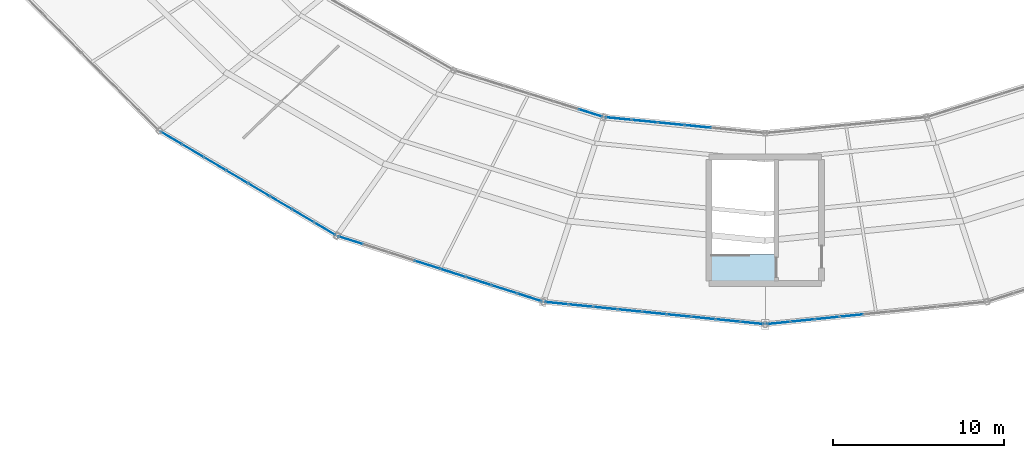
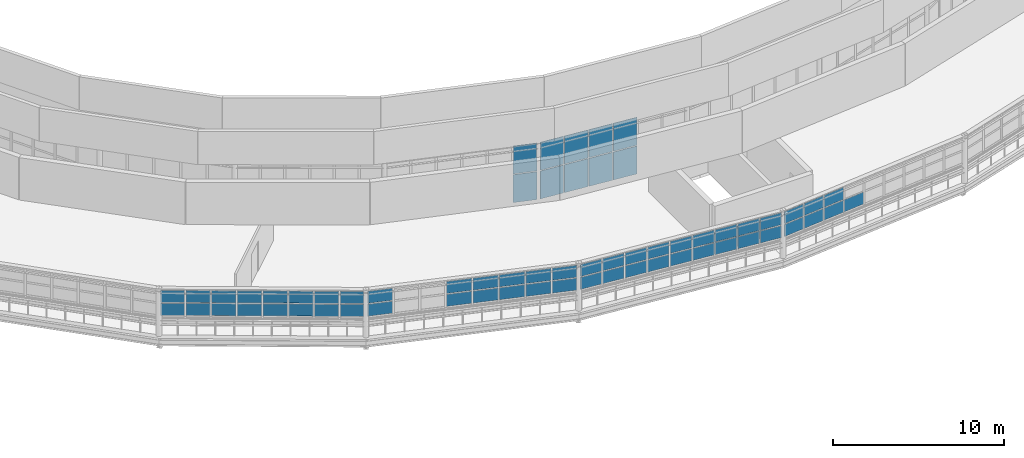
# One storey, part 77 of 123: 63 plates, 1 slab, 6 elements without a shape of their own.
"""IFC4 building model written with IfcOpenShell, lengths in metres."""

from ifc_helpers import new_model, si_unit, direction, frame, origin, origin_2d, place, context, subcontext, project, spatial, polyline, rectangle, outline, extrude, material, layer, layer_set, type_object, element, aggregate, save


model = new_model("IFC4")

# Units and contexts
model_context = context("Model", 3, precision=1e-05, world=origin(), true_north=direction((0.0, 1.0)))
body_context = subcontext(model_context, "Body", "Model", "MODEL_VIEW")
ifc_project = project(units=[si_unit("LENGTHUNIT", "METRE"), si_unit("AREAUNIT", "SQUARE_METRE"), si_unit("VOLUMEUNIT", "CUBIC_METRE"), si_unit("PLANEANGLEUNIT", "RADIAN"), si_unit("MASSUNIT", "GRAM", prefix="KILO")], contexts=[model_context])

# Site, building, storey
site_placement = place(None, origin())
site = spatial("IfcSite", under=ifc_project, at=site_placement, CompositionType="ELEMENT")
building_placement = place(site_placement, origin())
building = spatial("IfcBuilding", under=site, at=building_placement, Name="Kildeholm Park Wholesale Market", CompositionType="ELEMENT")
storey_placement = place(building_placement, frame((0.0, 0.0, 9.60009765625)))
storey = spatial("IfcBuildingStorey", under=building, at=storey_placement, Name="L02", CompositionType="ELEMENT", Elevation=9.60009765625)

# Curtain wall, plates
ifc_material_1 = material(Name="Anodised aluminium and low-E double-glazed glass", Category="aluminium")
curtain_wall_type = type_object("IfcCurtainWallType", Name="Clerestory daylight stick curtain wall CW-02", PredefinedType="NOTDEFINED", material=ifc_material_1)
curtain_wall_1_placement = place(storey_placement, origin())
curtain_wall_1 = element("IfcCurtainWall", 1, at=curtain_wall_1_placement, inside=storey, type_object=curtain_wall_type, Name="Curtain wall CW-V1-IN2-16 CW-0083", PredefinedType="NOTDEFINED")
ifc_material_2 = material(Name="Triple-glazed solar-control glass", Category="glass")
ifc_layer_1 = layer(ifc_material_2, 0.035888671875)
ifc_layer_set_1 = layer_set([ifc_layer_1], Name="Triple-glazed solar-control glass")
plate_type_1 = type_object("IfcPlateType", Name="Curtain-wall panel CWP-2 36 mm", PredefinedType="CURTAIN_PANEL", material=ifc_layer_set_1)
plate_1_placement = place(storey_placement, frame((88.771484375, 63.176513671875, 0.06005859375), z_axis=(0.0, 0.0, 1.0), x_axis=(0.954579186683, -0.297957339818, 0.0)))
plate_1 = element("IfcPlate", 2, at=plate_1_placement, type_object=plate_type_1, Name="CW-02 panel 6.1 PLT-1266", PredefinedType="CURTAIN_PANEL", context=body_context, shape_type="SweptSolid", body=[
    extrude(rectangle(XDim=1.43359375, YDim=0.035888671875, at=origin_2d()), origin(), (0.0, 0.0, 1.0), 1.985107421875),
])
plate_2_placement = place(storey_placement, frame((88.771484375, 63.176513671875, 2.10498046875), z_axis=(0.0, 0.0, 1.0), x_axis=(0.954579186683, -0.297957339818, 0.0)))
plate_2 = element("IfcPlate", 3, at=plate_2_placement, type_object=plate_type_1, Name="CW-02 panel 6.2 PLT-1267", PredefinedType="CURTAIN_PANEL", context=body_context, shape_type="SweptSolid", body=[
    extrude(rectangle(XDim=1.43359375, YDim=0.035888671875, at=origin_2d()), origin(), (0.0, 0.0, 1.0), 1.985107421875),
])
aggregate(curtain_wall_1, [plate_1, plate_2])

curtain_wall_2_placement = place(storey_placement, origin())
curtain_wall_2 = element("IfcCurtainWall", 4, at=curtain_wall_2_placement, inside=storey, type_object=curtain_wall_type, Name="Curtain wall CW-V1-IN2-17 CW-0088", PredefinedType="NOTDEFINED")
plate_3_placement = place(storey_placement, frame((90.3876953125, 62.85009765625, 0.06005859375), z_axis=(0.0, 0.0, 1.0), x_axis=(0.995118887444, -0.098683331174, 0.0)))
plate_3 = element("IfcPlate", 5, at=plate_3_placement, type_object=plate_type_1, Name="CW-02 panel 1.1 PLT-1330", PredefinedType="CURTAIN_PANEL", context=body_context, shape_type="SweptSolid", body=[
    extrude(rectangle(XDim=1.47900390625, YDim=0.035888671875, at=origin_2d()), origin(), (0.0, 0.0, 1.0), 1.985107421875),
])
plate_4_placement = place(storey_placement, frame((90.3876953125, 62.85009765625, 2.10498046875), z_axis=(0.0, 0.0, 1.0), x_axis=(0.995118887444, -0.098683331174, 0.0)))
plate_4 = element("IfcPlate", 6, at=plate_4_placement, type_object=plate_type_1, Name="CW-02 panel 1.2 PLT-1331", PredefinedType="CURTAIN_PANEL", context=body_context, shape_type="SweptSolid", body=[
    extrude(rectangle(XDim=1.47900390625, YDim=0.035888671875, at=origin_2d()), origin(), (0.0, 0.0, 1.0), 1.985107421875),
])
plate_5_placement = place(storey_placement, frame((91.93408203125, 62.69677734375, 0.06005859375), z_axis=(0.0, 0.0, 1.0), x_axis=(0.995118887444, -0.098683331174, 0.0)))
plate_5 = element("IfcPlate", 7, at=plate_5_placement, type_object=plate_type_1, Name="CW-02 panel 2.1 PLT-1332", PredefinedType="CURTAIN_PANEL", context=body_context, shape_type="SweptSolid", body=[
    extrude(rectangle(XDim=1.509033203125, YDim=0.035888671875, at=origin_2d()), origin(), (0.0, 0.0, 1.0), 1.985107421875),
])
plate_6_placement = place(storey_placement, frame((91.93408203125, 62.69677734375, 2.10498046875), z_axis=(0.0, 0.0, 1.0), x_axis=(0.995118887444, -0.098683331174, 0.0)))
plate_6 = element("IfcPlate", 8, at=plate_6_placement, type_object=plate_type_1, Name="CW-02 panel 2.2 PLT-1333", PredefinedType="CURTAIN_PANEL", context=body_context, shape_type="SweptSolid", body=[
    extrude(rectangle(XDim=1.509033203125, YDim=0.035888671875, at=origin_2d()), origin(), (0.0, 0.0, 1.0), 1.985107421875),
])
plate_7_placement = place(storey_placement, frame((93.495361328125, 62.5419921875, 0.06005859375), z_axis=(0.0, 0.0, 1.0), x_axis=(0.995118887444, -0.098683331174, 0.0)))
plate_7 = element("IfcPlate", 9, at=plate_7_placement, type_object=plate_type_1, Name="CW-02 panel 3.1 PLT-1334", PredefinedType="CURTAIN_PANEL", context=body_context, shape_type="SweptSolid", body=[
    extrude(rectangle(XDim=1.509033203125, YDim=0.035888671875, at=origin_2d()), origin(), (0.0, 0.0, 1.0), 1.985107421875),
])
plate_8_placement = place(storey_placement, frame((93.495361328125, 62.5419921875, 2.10498046875), z_axis=(0.0, 0.0, 1.0), x_axis=(0.995118887444, -0.098683331174, 0.0)))
plate_8 = element("IfcPlate", 10, at=plate_8_placement, type_object=plate_type_1, Name="CW-02 panel 3.2 PLT-1335", PredefinedType="CURTAIN_PANEL", context=body_context, shape_type="SweptSolid", body=[
    extrude(rectangle(XDim=1.509033203125, YDim=0.035888671875, at=origin_2d()), origin(), (0.0, 0.0, 1.0), 1.985107421875),
])
plate_9_placement = place(storey_placement, frame((95.056640625, 62.386962890625, 0.06005859375), z_axis=(0.0, 0.0, 1.0), x_axis=(0.995118887444, -0.098683331174, 0.0)))
plate_9 = element("IfcPlate", 11, at=plate_9_placement, type_object=plate_type_1, Name="CW-02 panel 4.1 PLT-1336", PredefinedType="CURTAIN_PANEL", context=body_context, shape_type="SweptSolid", body=[
    extrude(rectangle(XDim=1.509033203125, YDim=0.035888671875, at=origin_2d()), origin(), (0.0, 0.0, 1.0), 1.985107421875),
])
plate_10_placement = place(storey_placement, frame((95.056640625, 62.386962890625, 2.10498046875), z_axis=(0.0, 0.0, 1.0), x_axis=(0.995118887444, -0.098683331174, 0.0)))
plate_10 = element("IfcPlate", 12, at=plate_10_placement, type_object=plate_type_1, Name="CW-02 panel 4.2 PLT-1337", PredefinedType="CURTAIN_PANEL", context=body_context, shape_type="SweptSolid", body=[
    extrude(rectangle(XDim=1.509033203125, YDim=0.035888671875, at=origin_2d()), origin(), (0.0, 0.0, 1.0), 1.985107421875),
])
aggregate(curtain_wall_2, [plate_3, plate_4, plate_5, plate_6, plate_7, plate_8, plate_9, plate_10])

curtain_wall_3_placement = place(storey_placement, origin())
curtain_wall_3 = element("IfcCurtainWall", 13, at=curtain_wall_3_placement, inside=storey, type_object=curtain_wall_type, Name="Curtain wall CW-V1-CL-15 CW-0075", PredefinedType="NOTDEFINED")
ifc_material_3 = material(Name="Fritted solar-control clerestory glass", Category="glass")
ifc_layer_2 = layer(ifc_material_3, 0.031982421875)
ifc_layer_set_2 = layer_set([ifc_layer_2], Name="Fritted solar-control clerestory glass")
plate_type_2 = type_object("IfcPlateType", Name="Curtain-wall panel CWP-4 32 mm", PredefinedType="CURTAIN_PANEL", material=ifc_layer_set_2)
plate_11_placement = place(storey_placement, frame((64.1923828125, 61.721435546875, 1.40966796875), z_axis=(0.0, 0.0, 1.0), x_axis=(0.860704129033, -0.509105492275, 0.0)))
plate_11 = element("IfcPlate", 14, at=plate_11_placement, type_object=plate_type_2, Name="CW-02 panel 1.1 PLT-1144", PredefinedType="CURTAIN_PANEL", context=body_context, shape_type="SweptSolid", body=[
    extrude(rectangle(XDim=1.409912109375, YDim=0.031982421875, at=origin_2d()), origin(), (0.0, 0.0, 1.0), 0.860107421875),
])
plate_12_placement = place(storey_placement, frame((64.1923828125, 61.721435546875, 2.330078125), z_axis=(0.0, 0.0, 1.0), x_axis=(0.860704129033, -0.509105492275, 0.0)))
plate_12 = element("IfcPlate", 15, at=plate_12_placement, type_object=plate_type_2, Name="CW-02 panel 1.2 PLT-1145", PredefinedType="CURTAIN_PANEL", context=body_context, shape_type="SweptSolid", body=[
    extrude(rectangle(XDim=1.409912109375, YDim=0.031982421875, at=origin_2d()), origin(), (0.0, 0.0, 1.0), 0.860107421875),
])
plate_13_placement = place(storey_placement, frame((65.470458984375, 60.965576171875, 1.40966796875), z_axis=(0.0, 0.0, 1.0), x_axis=(0.860704129033, -0.509105492275, 0.0)))
plate_13 = element("IfcPlate", 16, at=plate_13_placement, type_object=plate_type_2, Name="CW-02 panel 2.1 PLT-1146", PredefinedType="CURTAIN_PANEL", context=body_context, shape_type="SweptSolid", body=[
    extrude(rectangle(XDim=1.43994140625, YDim=0.031982421875, at=origin_2d()), origin(), (0.0, 0.0, 1.0), 0.860107421875),
])
plate_14_placement = place(storey_placement, frame((65.470458984375, 60.965576171875, 2.330078125), z_axis=(0.0, 0.0, 1.0), x_axis=(0.860704129033, -0.509105492275, 0.0)))
plate_14 = element("IfcPlate", 17, at=plate_14_placement, type_object=plate_type_2, Name="CW-02 panel 2.2 PLT-1147", PredefinedType="CURTAIN_PANEL", context=body_context, shape_type="SweptSolid", body=[
    extrude(rectangle(XDim=1.43994140625, YDim=0.031982421875, at=origin_2d()), origin(), (0.0, 0.0, 1.0), 0.860107421875),
])
plate_15_placement = place(storey_placement, frame((66.761474609375, 60.201904296875, 1.40966796875), z_axis=(0.0, 0.0, 1.0), x_axis=(0.860704129033, -0.509105492275, 0.0)))
plate_15 = element("IfcPlate", 18, at=plate_15_placement, type_object=plate_type_2, Name="CW-02 panel 3.1 PLT-1148", PredefinedType="CURTAIN_PANEL", context=body_context, shape_type="SweptSolid", body=[
    extrude(rectangle(XDim=1.43994140625, YDim=0.031982421875, at=origin_2d()), origin(), (0.0, 0.0, 1.0), 0.860107421875),
])
plate_16_placement = place(storey_placement, frame((66.761474609375, 60.201904296875, 2.330078125), z_axis=(0.0, 0.0, 1.0), x_axis=(0.860704129033, -0.509105492275, 0.0)))
plate_16 = element("IfcPlate", 19, at=plate_16_placement, type_object=plate_type_2, Name="CW-02 panel 3.2 PLT-1149", PredefinedType="CURTAIN_PANEL", context=body_context, shape_type="SweptSolid", body=[
    extrude(rectangle(XDim=1.43994140625, YDim=0.031982421875, at=origin_2d()), origin(), (0.0, 0.0, 1.0), 0.860107421875),
])
plate_17_placement = place(storey_placement, frame((68.052490234375, 59.438232421875, 1.40966796875), z_axis=(0.0, 0.0, 1.0), x_axis=(0.860704129033, -0.509105492275, 0.0)))
plate_17 = element("IfcPlate", 20, at=plate_17_placement, type_object=plate_type_2, Name="CW-02 panel 4.1 PLT-1150", PredefinedType="CURTAIN_PANEL", context=body_context, shape_type="SweptSolid", body=[
    extrude(rectangle(XDim=1.43994140625, YDim=0.031982421875, at=origin_2d()), origin(), (0.0, 0.0, 1.0), 0.860107421875),
])
plate_18_placement = place(storey_placement, frame((68.052490234375, 59.438232421875, 2.330078125), z_axis=(0.0, 0.0, 1.0), x_axis=(0.860704129033, -0.509105492275, 0.0)))
plate_18 = element("IfcPlate", 21, at=plate_18_placement, type_object=plate_type_2, Name="CW-02 panel 4.2 PLT-1151", PredefinedType="CURTAIN_PANEL", context=body_context, shape_type="SweptSolid", body=[
    extrude(rectangle(XDim=1.43994140625, YDim=0.031982421875, at=origin_2d()), origin(), (0.0, 0.0, 1.0), 0.860107421875),
])
plate_19_placement = place(storey_placement, frame((69.343505859375, 58.6748046875, 1.40966796875), z_axis=(0.0, 0.0, 1.0), x_axis=(0.860704129033, -0.509105492275, 0.0)))
plate_19 = element("IfcPlate", 22, at=plate_19_placement, type_object=plate_type_2, Name="CW-02 panel 5.1 PLT-1152", PredefinedType="CURTAIN_PANEL", context=body_context, shape_type="SweptSolid", body=[
    extrude(rectangle(XDim=1.43994140625, YDim=0.031982421875, at=origin_2d()), origin(), (0.0, 0.0, 1.0), 0.860107421875),
])
plate_20_placement = place(storey_placement, frame((69.343505859375, 58.6748046875, 2.330078125), z_axis=(0.0, 0.0, 1.0), x_axis=(0.860704129033, -0.509105492275, 0.0)))
plate_20 = element("IfcPlate", 23, at=plate_20_placement, type_object=plate_type_2, Name="CW-02 panel 5.2 PLT-1153", PredefinedType="CURTAIN_PANEL", context=body_context, shape_type="SweptSolid", body=[
    extrude(rectangle(XDim=1.43994140625, YDim=0.031982421875, at=origin_2d()), origin(), (0.0, 0.0, 1.0), 0.860107421875),
])
plate_21_placement = place(storey_placement, frame((70.634521484375, 57.9111328125, 1.40966796875), z_axis=(0.0, 0.0, 1.0), x_axis=(0.860704129033, -0.509105492275, 0.0)))
plate_21 = element("IfcPlate", 24, at=plate_21_placement, type_object=plate_type_2, Name="CW-02 panel 6.1 PLT-1154", PredefinedType="CURTAIN_PANEL", context=body_context, shape_type="SweptSolid", body=[
    extrude(rectangle(XDim=1.43994140625, YDim=0.031982421875, at=origin_2d()), origin(), (0.0, 0.0, 1.0), 0.860107421875),
])
plate_22_placement = place(storey_placement, frame((70.634521484375, 57.9111328125, 2.330078125), z_axis=(0.0, 0.0, 1.0), x_axis=(0.860704129033, -0.509105492275, 0.0)))
plate_22 = element("IfcPlate", 25, at=plate_22_placement, type_object=plate_type_2, Name="CW-02 panel 6.2 PLT-1155", PredefinedType="CURTAIN_PANEL", context=body_context, shape_type="SweptSolid", body=[
    extrude(rectangle(XDim=1.43994140625, YDim=0.031982421875, at=origin_2d()), origin(), (0.0, 0.0, 1.0), 0.860107421875),
])
plate_23_placement = place(storey_placement, frame((71.925537109375, 57.1474609375, 1.40966796875), z_axis=(0.0, 0.0, 1.0), x_axis=(0.860704129033, -0.509105492275, 0.0)))
plate_23 = element("IfcPlate", 26, at=plate_23_placement, type_object=plate_type_2, Name="CW-02 panel 7.1 PLT-1156", PredefinedType="CURTAIN_PANEL", context=body_context, shape_type="SweptSolid", body=[
    extrude(rectangle(XDim=1.43994140625, YDim=0.031982421875, at=origin_2d()), origin(), (0.0, 0.0, 1.0), 0.860107421875),
])
plate_24_placement = place(storey_placement, frame((71.925537109375, 57.1474609375, 2.330078125), z_axis=(0.0, 0.0, 1.0), x_axis=(0.860704129033, -0.509105492275, 0.0)))
plate_24 = element("IfcPlate", 27, at=plate_24_placement, type_object=plate_type_2, Name="CW-02 panel 7.2 PLT-1157", PredefinedType="CURTAIN_PANEL", context=body_context, shape_type="SweptSolid", body=[
    extrude(rectangle(XDim=1.43994140625, YDim=0.031982421875, at=origin_2d()), origin(), (0.0, 0.0, 1.0), 0.860107421875),
])
plate_25_placement = place(storey_placement, frame((73.20361328125, 56.391357421875, 1.40966796875), z_axis=(0.0, 0.0, 1.0), x_axis=(0.860704129033, -0.509105492275, 0.0)))
plate_25 = element("IfcPlate", 28, at=plate_25_placement, type_object=plate_type_2, Name="CW-02 panel 8.1 PLT-1158", PredefinedType="CURTAIN_PANEL", context=body_context, shape_type="SweptSolid", body=[
    extrude(rectangle(XDim=1.409912109375, YDim=0.031982421875, at=origin_2d()), origin(), (0.0, 0.0, 1.0), 0.860107421875),
])
plate_26_placement = place(storey_placement, frame((73.20361328125, 56.391357421875, 2.330078125), z_axis=(0.0, 0.0, 1.0), x_axis=(0.860704129033, -0.509105492275, 0.0)))
plate_26 = element("IfcPlate", 29, at=plate_26_placement, type_object=plate_type_2, Name="CW-02 panel 8.2 PLT-1159", PredefinedType="CURTAIN_PANEL", context=body_context, shape_type="SweptSolid", body=[
    extrude(rectangle(XDim=1.409912109375, YDim=0.031982421875, at=origin_2d()), origin(), (0.0, 0.0, 1.0), 0.860107421875),
])
aggregate(curtain_wall_3, [plate_11, plate_12, plate_13, plate_14, plate_15, plate_16, plate_17, plate_18, plate_19, plate_20, plate_21, plate_22, plate_23, plate_24, plate_25, plate_26])

curtain_wall_4_placement = place(storey_placement, origin())
curtain_wall_4 = element("IfcCurtainWall", 30, at=curtain_wall_4_placement, inside=storey, type_object=curtain_wall_type, Name="Curtain wall CW-V1-CL-16 CW-0080", PredefinedType="NOTDEFINED")
plate_27_placement = place(storey_placement, frame((74.7021484375, 55.724365234375, 1.40966796875), z_axis=(0.0, 0.0, 1.0), x_axis=(0.952606009241, -0.304206822997, 0.0)))
plate_27 = element("IfcPlate", 31, at=plate_27_placement, type_object=plate_type_2, Name="CW-02 panel 1.1 PLT-1216", PredefinedType="CURTAIN_PANEL", context=body_context, shape_type="SweptSolid", body=[
    extrude(rectangle(XDim=1.48876953125, YDim=0.031982421875, at=origin_2d()), origin(), (0.0, 0.0, 1.0), 0.860107421875),
])
plate_28_placement = place(storey_placement, frame((74.7021484375, 55.724365234375, 2.330078125), z_axis=(0.0, 0.0, 1.0), x_axis=(0.952606009241, -0.304206822997, 0.0)))
plate_28 = element("IfcPlate", 32, at=plate_28_placement, type_object=plate_type_2, Name="CW-02 panel 1.2 PLT-1217", PredefinedType="CURTAIN_PANEL", context=body_context, shape_type="SweptSolid", body=[
    extrude(rectangle(XDim=1.48876953125, YDim=0.031982421875, at=origin_2d()), origin(), (0.0, 0.0, 1.0), 0.860107421875),
])
plate_29_placement = place(storey_placement, frame((79.199462890625, 54.2880859375, 1.40966796875), z_axis=(0.0, 0.0, 1.0), x_axis=(0.952606009241, -0.304206822997, 0.0)))
plate_29 = element("IfcPlate", 33, at=plate_29_placement, type_object=plate_type_2, Name="CW-02 panel 4.1 PLT-1222", PredefinedType="CURTAIN_PANEL", context=body_context, shape_type="SweptSolid", body=[
    extrude(rectangle(XDim=1.518798828125, YDim=0.031982421875, at=origin_2d()), origin(), (0.0, 0.0, 1.0), 0.860107421875),
])
plate_30_placement = place(storey_placement, frame((79.199462890625, 54.2880859375, 2.330078125), z_axis=(0.0, 0.0, 1.0), x_axis=(0.952606009241, -0.304206822997, 0.0)))
plate_30 = element("IfcPlate", 34, at=plate_30_placement, type_object=plate_type_2, Name="CW-02 panel 4.2 PLT-1223", PredefinedType="CURTAIN_PANEL", context=body_context, shape_type="SweptSolid", body=[
    extrude(rectangle(XDim=1.518798828125, YDim=0.031982421875, at=origin_2d()), origin(), (0.0, 0.0, 1.0), 0.860107421875),
])
plate_31_placement = place(storey_placement, frame((80.703369140625, 53.807861328125, 1.40966796875), z_axis=(0.0, 0.0, 1.0), x_axis=(0.952606009241, -0.304206822997, 0.0)))
plate_31 = element("IfcPlate", 35, at=plate_31_placement, type_object=plate_type_2, Name="CW-02 panel 5.1 PLT-1224", PredefinedType="CURTAIN_PANEL", context=body_context, shape_type="SweptSolid", body=[
    extrude(rectangle(XDim=1.518798828125, YDim=0.031982421875, at=origin_2d()), origin(), (0.0, 0.0, 1.0), 0.860107421875),
])
plate_32_placement = place(storey_placement, frame((80.703369140625, 53.807861328125, 2.330078125), z_axis=(0.0, 0.0, 1.0), x_axis=(0.952606009241, -0.304206822997, 0.0)))
plate_32 = element("IfcPlate", 36, at=plate_32_placement, type_object=plate_type_2, Name="CW-02 panel 5.2 PLT-1225", PredefinedType="CURTAIN_PANEL", context=body_context, shape_type="SweptSolid", body=[
    extrude(rectangle(XDim=1.518798828125, YDim=0.031982421875, at=origin_2d()), origin(), (0.0, 0.0, 1.0), 0.860107421875),
])
plate_33_placement = place(storey_placement, frame((82.207275390625, 53.32763671875, 1.40966796875), z_axis=(0.0, 0.0, 1.0), x_axis=(0.952606009241, -0.304206822997, 0.0)))
plate_33 = element("IfcPlate", 37, at=plate_33_placement, type_object=plate_type_2, Name="CW-02 panel 6.1 PLT-1226", PredefinedType="CURTAIN_PANEL", context=body_context, shape_type="SweptSolid", body=[
    extrude(rectangle(XDim=1.518798828125, YDim=0.031982421875, at=origin_2d()), origin(), (0.0, 0.0, 1.0), 0.860107421875),
])
plate_34_placement = place(storey_placement, frame((82.207275390625, 53.32763671875, 2.330078125), z_axis=(0.0, 0.0, 1.0), x_axis=(0.952606009241, -0.304206822997, 0.0)))
plate_34 = element("IfcPlate", 38, at=plate_34_placement, type_object=plate_type_2, Name="CW-02 panel 6.2 PLT-1227", PredefinedType="CURTAIN_PANEL", context=body_context, shape_type="SweptSolid", body=[
    extrude(rectangle(XDim=1.518798828125, YDim=0.031982421875, at=origin_2d()), origin(), (0.0, 0.0, 1.0), 0.860107421875),
])
plate_35_placement = place(storey_placement, frame((83.711181640625, 52.847412109375, 1.40966796875), z_axis=(0.0, 0.0, 1.0), x_axis=(0.952606009241, -0.304206822997, 0.0)))
plate_35 = element("IfcPlate", 39, at=plate_35_placement, type_object=plate_type_2, Name="CW-02 panel 7.1 PLT-1228", PredefinedType="CURTAIN_PANEL", context=body_context, shape_type="SweptSolid", body=[
    extrude(rectangle(XDim=1.518798828125, YDim=0.031982421875, at=origin_2d()), origin(), (0.0, 0.0, 1.0), 0.860107421875),
])
plate_36_placement = place(storey_placement, frame((83.711181640625, 52.847412109375, 2.330078125), z_axis=(0.0, 0.0, 1.0), x_axis=(0.952606009241, -0.304206822997, 0.0)))
plate_36 = element("IfcPlate", 40, at=plate_36_placement, type_object=plate_type_2, Name="CW-02 panel 7.2 PLT-1229", PredefinedType="CURTAIN_PANEL", context=body_context, shape_type="SweptSolid", body=[
    extrude(rectangle(XDim=1.518798828125, YDim=0.031982421875, at=origin_2d()), origin(), (0.0, 0.0, 1.0), 0.860107421875),
])
plate_37_placement = place(storey_placement, frame((85.20068359375, 52.37158203125, 1.40966796875), z_axis=(0.0, 0.0, 1.0), x_axis=(0.952606009241, -0.304206822997, 0.0)))
plate_37 = element("IfcPlate", 41, at=plate_37_placement, type_object=plate_type_2, Name="CW-02 panel 8.1 PLT-1230", PredefinedType="CURTAIN_PANEL", context=body_context, shape_type="SweptSolid", body=[
    extrude(rectangle(XDim=1.48876953125, YDim=0.031982421875, at=origin_2d()), origin(), (0.0, 0.0, 1.0), 0.860107421875),
])
plate_38_placement = place(storey_placement, frame((85.20068359375, 52.37158203125, 2.330078125), z_axis=(0.0, 0.0, 1.0), x_axis=(0.952606009241, -0.304206822997, 0.0)))
plate_38 = element("IfcPlate", 42, at=plate_38_placement, type_object=plate_type_2, Name="CW-02 panel 8.2 PLT-1231", PredefinedType="CURTAIN_PANEL", context=body_context, shape_type="SweptSolid", body=[
    extrude(rectangle(XDim=1.48876953125, YDim=0.031982421875, at=origin_2d()), origin(), (0.0, 0.0, 1.0), 0.860107421875),
])
aggregate(curtain_wall_4, [plate_27, plate_28, plate_29, plate_30, plate_31, plate_32, plate_33, plate_34, plate_35, plate_36, plate_37, plate_38])

curtain_wall_5_placement = place(storey_placement, origin())
curtain_wall_5 = element("IfcCurtainWall", 43, at=curtain_wall_5_placement, inside=storey, type_object=curtain_wall_type, Name="Curtain wall CW-V1-CL-17 CW-0085", PredefinedType="NOTDEFINED")
plate_39_placement = place(storey_placement, frame((86.7783203125, 52.03662109375, 1.40966796875), z_axis=(0.0, 0.0, 1.0), x_axis=(0.994886564926, -0.100998628351, 0.0)))
plate_39 = element("IfcPlate", 44, at=plate_39_placement, type_object=plate_type_2, Name="CW-02 panel 1.1 PLT-1288", PredefinedType="CURTAIN_PANEL", context=body_context, shape_type="SweptSolid", body=[
    extrude(rectangle(XDim=1.352294921875, YDim=0.031982421875, at=origin_2d()), origin(), (0.0, 0.0, 1.0), 0.860107421875),
])
plate_40_placement = place(storey_placement, frame((86.7783203125, 52.03662109375, 2.330078125), z_axis=(0.0, 0.0, 1.0), x_axis=(0.994886564926, -0.100998628351, 0.0)))
plate_40 = element("IfcPlate", 45, at=plate_40_placement, type_object=plate_type_2, Name="CW-02 panel 1.2 PLT-1289", PredefinedType="CURTAIN_PANEL", context=body_context, shape_type="SweptSolid", body=[
    extrude(rectangle(XDim=1.352294921875, YDim=0.031982421875, at=origin_2d()), origin(), (0.0, 0.0, 1.0), 0.860107421875),
])
plate_41_placement = place(storey_placement, frame((88.1982421875, 51.892578125, 1.40966796875), z_axis=(0.0, 0.0, 1.0), x_axis=(0.994886564926, -0.100998628351, 0.0)))
plate_41 = element("IfcPlate", 46, at=plate_41_placement, type_object=plate_type_2, Name="CW-02 panel 2.1 PLT-1290", PredefinedType="CURTAIN_PANEL", context=body_context, shape_type="SweptSolid", body=[
    extrude(rectangle(XDim=1.38232421875, YDim=0.031982421875, at=origin_2d()), origin(), (0.0, 0.0, 1.0), 0.860107421875),
])
plate_42_placement = place(storey_placement, frame((88.1982421875, 51.892578125, 2.330078125), z_axis=(0.0, 0.0, 1.0), x_axis=(0.994886564926, -0.100998628351, 0.0)))
plate_42 = element("IfcPlate", 47, at=plate_42_placement, type_object=plate_type_2, Name="CW-02 panel 2.2 PLT-1291", PredefinedType="CURTAIN_PANEL", context=body_context, shape_type="SweptSolid", body=[
    extrude(rectangle(XDim=1.38232421875, YDim=0.031982421875, at=origin_2d()), origin(), (0.0, 0.0, 1.0), 0.860107421875),
])
plate_43_placement = place(storey_placement, frame((89.63330078125, 51.746826171875, 1.40966796875), z_axis=(0.0, 0.0, 1.0), x_axis=(0.994886564926, -0.100998628351, 0.0)))
plate_43 = element("IfcPlate", 48, at=plate_43_placement, type_object=plate_type_2, Name="CW-02 panel 3.1 PLT-1292", PredefinedType="CURTAIN_PANEL", context=body_context, shape_type="SweptSolid", body=[
    extrude(rectangle(XDim=1.38232421875, YDim=0.031982421875, at=origin_2d()), origin(), (0.0, 0.0, 1.0), 0.860107421875),
])
plate_44_placement = place(storey_placement, frame((89.63330078125, 51.746826171875, 2.330078125), z_axis=(0.0, 0.0, 1.0), x_axis=(0.994886564926, -0.100998628351, 0.0)))
plate_44 = element("IfcPlate", 49, at=plate_44_placement, type_object=plate_type_2, Name="CW-02 panel 3.2 PLT-1293", PredefinedType="CURTAIN_PANEL", context=body_context, shape_type="SweptSolid", body=[
    extrude(rectangle(XDim=1.38232421875, YDim=0.031982421875, at=origin_2d()), origin(), (0.0, 0.0, 1.0), 0.860107421875),
])
plate_45_placement = place(storey_placement, frame((91.068115234375, 51.60107421875, 1.40966796875), z_axis=(0.0, 0.0, 1.0), x_axis=(0.994886564926, -0.100998628351, 0.0)))
plate_45 = element("IfcPlate", 50, at=plate_45_placement, type_object=plate_type_2, Name="CW-02 panel 4.1 PLT-1294", PredefinedType="CURTAIN_PANEL", context=body_context, shape_type="SweptSolid", body=[
    extrude(rectangle(XDim=1.38232421875, YDim=0.031982421875, at=origin_2d()), origin(), (0.0, 0.0, 1.0), 0.860107421875),
])
plate_46_placement = place(storey_placement, frame((91.068115234375, 51.60107421875, 2.330078125), z_axis=(0.0, 0.0, 1.0), x_axis=(0.994886564926, -0.100998628351, 0.0)))
plate_46 = element("IfcPlate", 51, at=plate_46_placement, type_object=plate_type_2, Name="CW-02 panel 4.2 PLT-1295", PredefinedType="CURTAIN_PANEL", context=body_context, shape_type="SweptSolid", body=[
    extrude(rectangle(XDim=1.38232421875, YDim=0.031982421875, at=origin_2d()), origin(), (0.0, 0.0, 1.0), 0.860107421875),
])
plate_47_placement = place(storey_placement, frame((92.5029296875, 51.45556640625, 1.40966796875), z_axis=(0.0, 0.0, 1.0), x_axis=(0.994886564926, -0.100998628351, 0.0)))
plate_47 = element("IfcPlate", 52, at=plate_47_placement, type_object=plate_type_2, Name="CW-02 panel 5.1 PLT-1296", PredefinedType="CURTAIN_PANEL", context=body_context, shape_type="SweptSolid", body=[
    extrude(rectangle(XDim=1.38232421875, YDim=0.031982421875, at=origin_2d()), origin(), (0.0, 0.0, 1.0), 0.860107421875),
])
plate_48_placement = place(storey_placement, frame((92.5029296875, 51.45556640625, 2.330078125), z_axis=(0.0, 0.0, 1.0), x_axis=(0.994886564926, -0.100998628351, 0.0)))
plate_48 = element("IfcPlate", 53, at=plate_48_placement, type_object=plate_type_2, Name="CW-02 panel 5.2 PLT-1297", PredefinedType="CURTAIN_PANEL", context=body_context, shape_type="SweptSolid", body=[
    extrude(rectangle(XDim=1.38232421875, YDim=0.031982421875, at=origin_2d()), origin(), (0.0, 0.0, 1.0), 0.860107421875),
])
plate_49_placement = place(storey_placement, frame((93.93798828125, 51.309814453125, 1.40966796875), z_axis=(0.0, 0.0, 1.0), x_axis=(0.994886564926, -0.100998628351, 0.0)))
plate_49 = element("IfcPlate", 54, at=plate_49_placement, type_object=plate_type_2, Name="CW-02 panel 6.1 PLT-1298", PredefinedType="CURTAIN_PANEL", context=body_context, shape_type="SweptSolid", body=[
    extrude(rectangle(XDim=1.38232421875, YDim=0.031982421875, at=origin_2d()), origin(), (0.0, 0.0, 1.0), 0.860107421875),
])
plate_50_placement = place(storey_placement, frame((93.93798828125, 51.309814453125, 2.330078125), z_axis=(0.0, 0.0, 1.0), x_axis=(0.994886564926, -0.100998628351, 0.0)))
plate_50 = element("IfcPlate", 55, at=plate_50_placement, type_object=plate_type_2, Name="CW-02 panel 6.2 PLT-1299", PredefinedType="CURTAIN_PANEL", context=body_context, shape_type="SweptSolid", body=[
    extrude(rectangle(XDim=1.38232421875, YDim=0.031982421875, at=origin_2d()), origin(), (0.0, 0.0, 1.0), 0.860107421875),
])
plate_51_placement = place(storey_placement, frame((95.372802734375, 51.1640625, 1.40966796875), z_axis=(0.0, 0.0, 1.0), x_axis=(0.994886564926, -0.100998628351, 0.0)))
plate_51 = element("IfcPlate", 56, at=plate_51_placement, type_object=plate_type_2, Name="CW-02 panel 7.1 PLT-1300", PredefinedType="CURTAIN_PANEL", context=body_context, shape_type="SweptSolid", body=[
    extrude(rectangle(XDim=1.38232421875, YDim=0.031982421875, at=origin_2d()), origin(), (0.0, 0.0, 1.0), 0.860107421875),
])
plate_52_placement = place(storey_placement, frame((95.372802734375, 51.1640625, 2.330078125), z_axis=(0.0, 0.0, 1.0), x_axis=(0.994886564926, -0.100998628351, 0.0)))
plate_52 = element("IfcPlate", 57, at=plate_52_placement, type_object=plate_type_2, Name="CW-02 panel 7.2 PLT-1301", PredefinedType="CURTAIN_PANEL", context=body_context, shape_type="SweptSolid", body=[
    extrude(rectangle(XDim=1.38232421875, YDim=0.031982421875, at=origin_2d()), origin(), (0.0, 0.0, 1.0), 0.860107421875),
])
plate_53_placement = place(storey_placement, frame((96.8076171875, 51.0185546875, 1.40966796875), z_axis=(0.0, 0.0, 1.0), x_axis=(0.994886564926, -0.100998628351, 0.0)))
plate_53 = element("IfcPlate", 58, at=plate_53_placement, type_object=plate_type_2, Name="CW-02 panel 8.1 PLT-1302", PredefinedType="CURTAIN_PANEL", context=body_context, shape_type="SweptSolid", body=[
    extrude(rectangle(XDim=1.38232421875, YDim=0.031982421875, at=origin_2d()), origin(), (0.0, 0.0, 1.0), 0.860107421875),
])
plate_54_placement = place(storey_placement, frame((96.8076171875, 51.0185546875, 2.330078125), z_axis=(0.0, 0.0, 1.0), x_axis=(0.994886564926, -0.100998628351, 0.0)))
plate_54 = element("IfcPlate", 59, at=plate_54_placement, type_object=plate_type_2, Name="CW-02 panel 8.2 PLT-1303", PredefinedType="CURTAIN_PANEL", context=body_context, shape_type="SweptSolid", body=[
    extrude(rectangle(XDim=1.38232421875, YDim=0.031982421875, at=origin_2d()), origin(), (0.0, 0.0, 1.0), 0.860107421875),
])
plate_55_placement = place(storey_placement, frame((98.2275390625, 50.874267578125, 1.40966796875), z_axis=(0.0, 0.0, 1.0), x_axis=(0.994886564926, -0.100998628351, 0.0)))
plate_55 = element("IfcPlate", 60, at=plate_55_placement, type_object=plate_type_2, Name="CW-02 panel 9.1 PLT-1304", PredefinedType="CURTAIN_PANEL", context=body_context, shape_type="SweptSolid", body=[
    extrude(rectangle(XDim=1.352294921875, YDim=0.031982421875, at=origin_2d()), origin(), (0.0, 0.0, 1.0), 0.860107421875),
])
plate_56_placement = place(storey_placement, frame((98.2275390625, 50.874267578125, 2.330078125), z_axis=(0.0, 0.0, 1.0), x_axis=(0.994886564926, -0.100998628351, 0.0)))
plate_56 = element("IfcPlate", 61, at=plate_56_placement, type_object=plate_type_2, Name="CW-02 panel 9.2 PLT-1305", PredefinedType="CURTAIN_PANEL", context=body_context, shape_type="SweptSolid", body=[
    extrude(rectangle(XDim=1.352294921875, YDim=0.031982421875, at=origin_2d()), origin(), (0.0, 0.0, 1.0), 0.860107421875),
])
aggregate(curtain_wall_5, [plate_39, plate_40, plate_41, plate_42, plate_43, plate_44, plate_45, plate_46, plate_47, plate_48, plate_49, plate_50, plate_51, plate_52, plate_53, plate_54, plate_55, plate_56])

curtain_wall_6_placement = place(storey_placement, origin())
curtain_wall_6 = element("IfcCurtainWall", 62, at=curtain_wall_6_placement, inside=storey, type_object=curtain_wall_type, Name="Curtain wall CW-V1-CL-18 CW-0090", PredefinedType="NOTDEFINED")
plate_57_placement = place(storey_placement, frame((99.7724609375, 50.874267578125, 1.40966796875), z_axis=(0.0, 0.0, 1.0), x_axis=(0.994886564926, 0.100998628351, 0.0)))
plate_57 = element("IfcPlate", 63, at=plate_57_placement, type_object=plate_type_2, Name="CW-02 panel 1.1 PLT-1362", PredefinedType="CURTAIN_PANEL", context=body_context, shape_type="SweptSolid", body=[
    extrude(rectangle(XDim=1.352294921875, YDim=0.031982421875, at=origin_2d()), origin(), (0.0, 0.0, 1.0), 0.860107421875),
])
plate_58_placement = place(storey_placement, frame((99.7724609375, 50.874267578125, 2.330078125), z_axis=(0.0, 0.0, 1.0), x_axis=(0.994886564926, 0.100998628351, 0.0)))
plate_58 = element("IfcPlate", 64, at=plate_58_placement, type_object=plate_type_2, Name="CW-02 panel 1.2 PLT-1363", PredefinedType="CURTAIN_PANEL", context=body_context, shape_type="SweptSolid", body=[
    extrude(rectangle(XDim=1.352294921875, YDim=0.031982421875, at=origin_2d()), origin(), (0.0, 0.0, 1.0), 0.860107421875),
])
plate_59_placement = place(storey_placement, frame((101.1923828125, 51.0185546875, 1.40966796875), z_axis=(0.0, 0.0, 1.0), x_axis=(0.994886564926, 0.100998628351, 0.0)))
plate_59 = element("IfcPlate", 65, at=plate_59_placement, type_object=plate_type_2, Name="CW-02 panel 2.1 PLT-1364", PredefinedType="CURTAIN_PANEL", context=body_context, shape_type="SweptSolid", body=[
    extrude(rectangle(XDim=1.38232421875, YDim=0.031982421875, at=origin_2d()), origin(), (0.0, 0.0, 1.0), 0.860107421875),
])
plate_60_placement = place(storey_placement, frame((101.1923828125, 51.0185546875, 2.330078125), z_axis=(0.0, 0.0, 1.0), x_axis=(0.994886564926, 0.100998628351, 0.0)))
plate_60 = element("IfcPlate", 66, at=plate_60_placement, type_object=plate_type_2, Name="CW-02 panel 2.2 PLT-1365", PredefinedType="CURTAIN_PANEL", context=body_context, shape_type="SweptSolid", body=[
    extrude(rectangle(XDim=1.38232421875, YDim=0.031982421875, at=origin_2d()), origin(), (0.0, 0.0, 1.0), 0.860107421875),
])
plate_61_placement = place(storey_placement, frame((102.627197265625, 51.1640625, 1.40966796875), z_axis=(0.0, 0.0, 1.0), x_axis=(0.994886564926, 0.100998628351, 0.0)))
plate_61 = element("IfcPlate", 67, at=plate_61_placement, type_object=plate_type_2, Name="CW-02 panel 3.1 PLT-1366", PredefinedType="CURTAIN_PANEL", context=body_context, shape_type="SweptSolid", body=[
    extrude(rectangle(XDim=1.38232421875, YDim=0.031982421875, at=origin_2d()), origin(), (0.0, 0.0, 1.0), 0.860107421875),
])
plate_62_placement = place(storey_placement, frame((102.627197265625, 51.1640625, 2.330078125), z_axis=(0.0, 0.0, 1.0), x_axis=(0.994886564926, 0.100998628351, 0.0)))
plate_62 = element("IfcPlate", 68, at=plate_62_placement, type_object=plate_type_2, Name="CW-02 panel 3.2 PLT-1367", PredefinedType="CURTAIN_PANEL", context=body_context, shape_type="SweptSolid", body=[
    extrude(rectangle(XDim=1.38232421875, YDim=0.031982421875, at=origin_2d()), origin(), (0.0, 0.0, 1.0), 0.860107421875),
])
plate_63_placement = place(storey_placement, frame((104.06201171875, 51.309814453125, 1.40966796875), z_axis=(0.0, 0.0, 1.0), x_axis=(0.994886564926, 0.100998628351, 0.0)))
plate_63 = element("IfcPlate", 69, at=plate_63_placement, type_object=plate_type_2, Name="CW-02 panel 4.1 PLT-1368", PredefinedType="CURTAIN_PANEL", context=body_context, shape_type="SweptSolid", body=[
    extrude(rectangle(XDim=1.38232421875, YDim=0.031982421875, at=origin_2d()), origin(), (0.0, 0.0, 1.0), 0.860107421875),
])
aggregate(curtain_wall_6, [plate_57, plate_58, plate_59, plate_60, plate_61, plate_62, plate_63])

# Slab
ifc_material_4 = material(Name="Concrete C35/45", Category="concrete")
ifc_layer_3 = layer(ifc_material_4, 0.239990234375)
ifc_layer_set_3 = layer_set([ifc_layer_3], Name="Concrete C35/45")
slab_type = type_object("IfcSlabType", Name="Stair landing slab S-LD1 240 mm", PredefinedType="LANDING", material=ifc_layer_set_3)
slab_placement = place(storey_placement, frame((0.0, 0.0, -0.239990234375)))
element("IfcSlab", 70, at=slab_placement, inside=storey, type_object=slab_type, Name="Core C10 stair landing slab L02 SLB-0460", PredefinedType="LANDING", context=body_context, shape_type="SweptSolid", body=[
    extrude(outline(polyline([(95.85009765625, 53.35009765625), (99.64990234375, 53.35009765625), (99.64990234375, 54.89990234375), (95.85009765625, 54.89990234375), (95.85009765625, 53.35009765625)])), origin(), (0.0, 0.0, 1.0), 0.239990234375),
])

save(model, "model.ifc")
